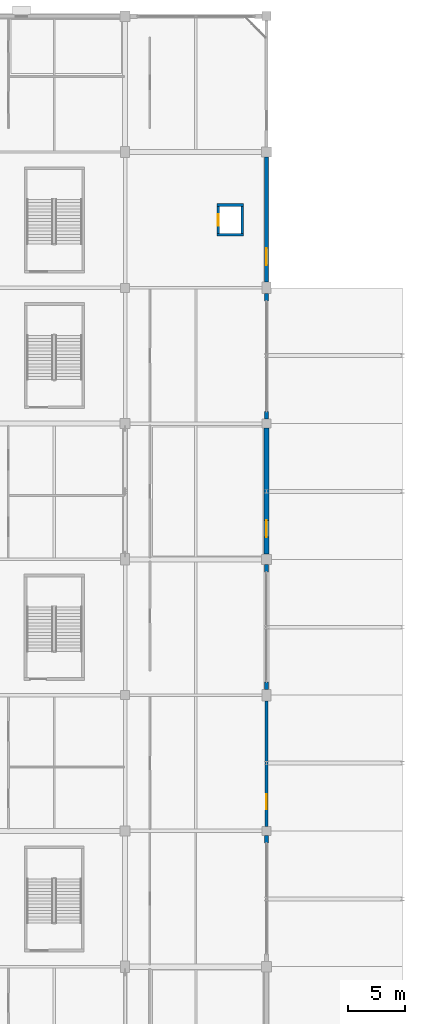
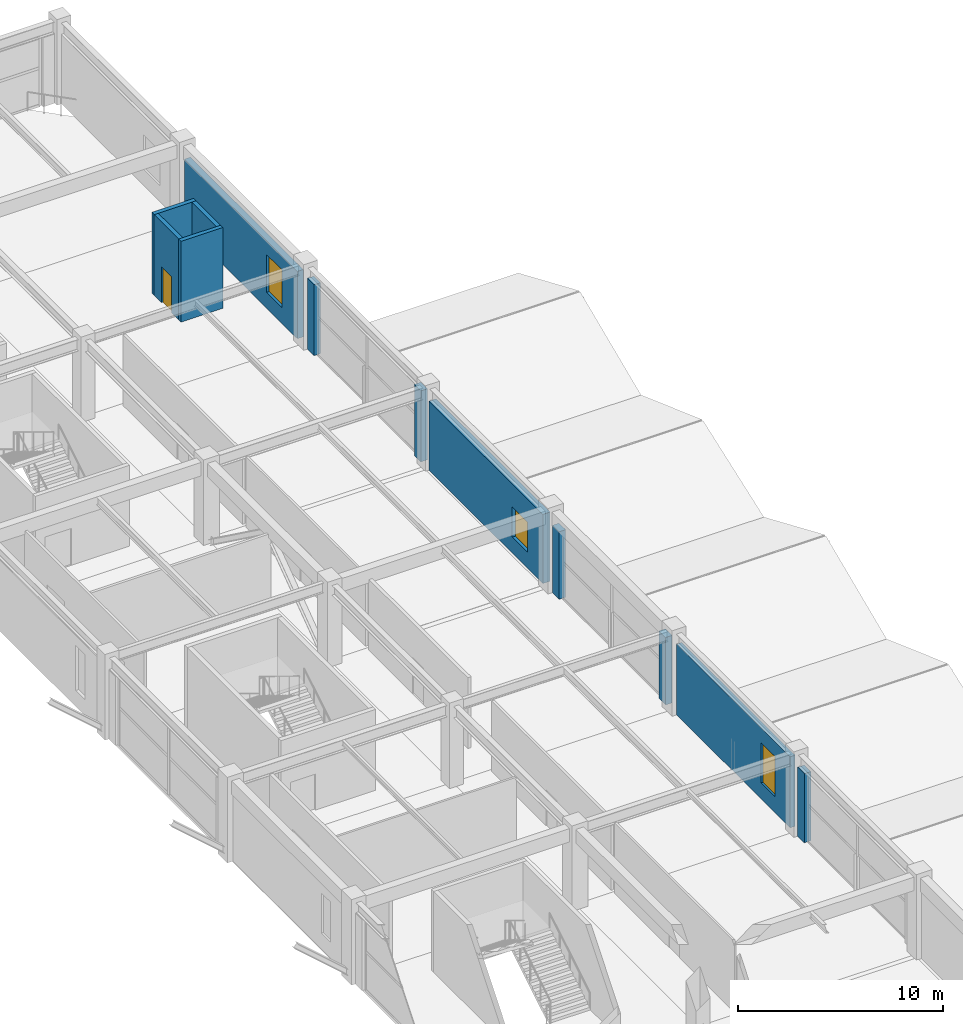
# One storey, part 78 of 116: 12 walls, 3 windows, 1 door, 4 openings.
"""IFC4 building model written with IfcOpenShell, lengths in metres."""

from ifc_helpers import new_model, si_unit, direction, frame, frame_2d, origin, place, context, subcontext, project, spatial, rectangle, extrude, material, layer, layer_set, type_object, element, fill, save


model = new_model("IFC4")

# Units and contexts
model_context = context("Model", 3, precision=1e-05, world=origin(), true_north=direction((0.0, 1.0)))
body_context = subcontext(model_context, "Body", "Model", "MODEL_VIEW")
ifc_project = project(units=[si_unit("LENGTHUNIT", "METRE"), si_unit("AREAUNIT", "SQUARE_METRE"), si_unit("VOLUMEUNIT", "CUBIC_METRE"), si_unit("PLANEANGLEUNIT", "RADIAN"), si_unit("MASSUNIT", "GRAM", prefix="KILO")], contexts=[model_context])

# Site, building, storey
site_placement = place(None, origin())
site = spatial("IfcSite", under=ifc_project, at=site_placement, CompositionType="ELEMENT")
building_placement = place(site_placement, origin())
building = spatial("IfcBuilding", under=site, at=building_placement, Name="Kazenohara Klinker Stadium", CompositionType="ELEMENT")
storey_placement = place(building_placement, frame((0.0, 0.0, 10.199951171875)))
storey = spatial("IfcBuildingStorey", under=building, at=storey_placement, Name="L02", CompositionType="ELEMENT", Elevation=10.199951171875)

# Walls
ifc_material_1 = material(Name="Concrete C40/50", Category="concrete")
ifc_layer_1 = layer(ifc_material_1, 0.22998046875)
ifc_layer_set_1 = layer_set([ifc_layer_1], Name="Concrete C40/50")
wall_type_1 = type_object("IfcWallType", Name="WAL-CORE-230", PredefinedType="SHEAR", material=ifc_layer_set_1)
for number, where, z_axis, x_axis, name in (
    (1, (195.6201171875, 136.68505859375, 0.0), (0.0, 0.0, 1.0), (1.0, 0.0, 0.0), "Elevator shaft wall LP05 L02 South"),
    (2, (195.6201171875, 139.31494140625, 0.0), (0.0, 0.0, 1.0), (1.0, 0.0, 0.0), "Elevator shaft wall LP05 L02 North"),
):
    element("IfcWall", number, at=place(storey_placement, frame(where, z_axis=z_axis, x_axis=x_axis)), inside=storey, type_object=wall_type_1, Name=name, PredefinedType="SHEAR", context=body_context, shape_type="SweptSolid", body=[
        extrude(rectangle(XDim=2.35986328125, YDim=0.22998046875, at=frame_2d((1.179931640625, 0.0))), origin(), (0.0, 0.0, 1.0), 4.820068359375),
    ])

# Wall, opening, door
wall_1_placement = place(storey_placement, frame((195.735107421875, 136.800048828125, 0.0), z_axis=(0.0, 0.0, 1.0), x_axis=(0.0, 1.0, 0.0)))
wall_1 = element("IfcWall", 3, at=wall_1_placement, inside=storey, type_object=wall_type_1, Name="Elevator shaft wall LP05 L02 West", PredefinedType="SHEAR", context=body_context, shape_type="SweptSolid", body=[
    extrude(rectangle(XDim=2.39990234375, YDim=0.22998046875, at=frame_2d((1.199951171875, 0.0))), origin(), (0.0, 0.0, 1.0), 4.820068359375),
])
opening_1_placement = place(wall_1_placement, frame((0.699951171875, 0.0, 0.0)))
opening_1 = element("IfcOpeningElement", 4, at=opening_1_placement, cuts=wall_1, Name="Opening LD02", PredefinedType="OPENING", context=body_context, shape_type="SweptSolid", body=[
    extrude(rectangle(XDim=1.0, YDim=2.14990234375, at=frame_2d((0.5, 1.074951171875))), frame((0.0, 0.125, 0.0), z_axis=(0.0, -1.0, 0.0), x_axis=(1.0, 0.0, 0.0)), (0.0, 0.0, 1.0), 0.25),
])
ifc_material_2 = material(Name="Stainless steel sliding landing door", Category="steel")
door_type = type_object("IfcDoorType", Name="DR-LD02-1000x2150", OperationType="NOTDEFINED", PredefinedType="DOOR", material=ifc_material_2)
door_placement = place(opening_1_placement, origin())
door = element("IfcDoor", 5, at=door_placement, inside=storey, type_object=door_type, Name="Elevator sliding landing door LP05-L02", OperationType="DOUBLE_DOOR_SLIDING", OverallHeight=2.14990234375, OverallWidth=1.0, PredefinedType="DOOR", context=body_context, shape_type="SweptSolid", body=[
    extrude(rectangle(XDim=1.0, YDim=2.14990234375, at=frame_2d((0.5, 1.074951171875))), frame((0.0, 0.02490234375, 0.0), z_axis=(0.0, -1.0, 0.0), x_axis=(1.0, 0.0, 0.0)), (0.0, 0.0, 1.0), 0.050048828125),
])
fill(opening_1, door)

# Wall
wall_2_placement = place(storey_placement, frame((197.864990234375, 136.800048828125, 0.0), z_axis=(0.0, 0.0, 1.0), x_axis=(0.0, 1.0, 0.0)))
element("IfcWall", 6, at=wall_2_placement, inside=storey, type_object=wall_type_1, Name="Elevator shaft wall LP05 L02 East", PredefinedType="SHEAR", context=body_context, shape_type="SweptSolid", body=[
    extrude(rectangle(XDim=2.39990234375, YDim=0.22998046875, at=frame_2d((1.199951171875, 0.0))), origin(), (0.0, 0.0, 1.0), 4.820068359375),
])

# Wall, opening, window
ifc_material_3 = material(Name="Clinker brick masonry", Category="masonry")
ifc_layer_2 = layer(ifc_material_3, 0.280029296875)
ifc_layer_set_2 = layer_set([ifc_layer_2], Name="Clinker brick masonry")
wall_type_2 = type_object("IfcWallType", Name="WAL-EXT-CB280", PredefinedType="SOLIDWALL", material=ifc_layer_set_2)
wall_3_placement = place(storey_placement, frame((200.0, 84.404052734375, 0.0), z_axis=(0.0, 0.0, 1.0), x_axis=(0.0, 1.0, 0.0)))
wall_3 = element("IfcWall", 7, at=wall_3_placement, inside=storey, type_object=wall_type_2, Name="Clinker brick cavity wall EW06 L02 Y16-7", PredefinedType="SOLIDWALL", context=body_context, shape_type="SweptSolid", body=[
    extrude(rectangle(XDim=11.092041015625, YDim=0.280029296875, at=frame_2d((5.5458984375, 0.0))), origin(), (0.0, 0.0, 1.0), 4.23193359375),
])
opening_2_placement = place(wall_3_placement, frame((1.5, 0.0, 0.949951171875)))
opening_2 = element("IfcOpeningElement", 8, at=opening_2_placement, cuts=wall_3, Name="Opening W08", PredefinedType="OPENING", context=body_context, shape_type="SweptSolid", body=[
    extrude(rectangle(XDim=1.35009765625, YDim=2.39990234375, at=frame_2d((0.675048828125, 1.199951171875))), frame((0.0, 0.14990234375, 0.0), z_axis=(0.0, -1.0, 0.0), x_axis=(1.0, 0.0, 0.0)), (0.0, 0.0, 1.0), 0.300048828125),
])
ifc_material_4 = material(Name="Dark bronze aluminium frame and triple glazing", Category="aluminium")
window_type_1 = type_object("IfcWindowType", Name="WIN-AS-08", PartitioningType="SINGLE_PANEL", PredefinedType="WINDOW", material=ifc_material_4)
window_1_placement = place(opening_2_placement, origin())
window_1 = element("IfcWindow", 9, at=window_1_placement, inside=storey, type_object=window_type_1, Name="Horizontal-mullion ladder window W08 L02 Y16-7", OverallHeight=2.39990234375, OverallWidth=1.35009765625, PartitioningType="SINGLE_PANEL", PredefinedType="WINDOW", context=body_context, shape_type="SweptSolid", body=[
    extrude(rectangle(XDim=1.35009765625, YDim=2.39990234375, at=frame_2d((0.675048828125, 1.199951171875))), frame((0.0, 0.030029296875, 0.0), z_axis=(0.0, -1.0, 0.0), x_axis=(1.0, 0.0, 0.0)), (0.0, 0.0, 1.0), 0.06005859375),
])
fill(opening_2, window_1)

ifc_layer_3 = layer(ifc_material_3, 0.340087890625)
ifc_layer_set_3 = layer_set([ifc_layer_3], Name="Clinker brick masonry")
wall_type_3 = type_object("IfcWallType", Name="WAL-EXT-CB340", PredefinedType="SOLIDWALL", material=ifc_layer_set_3)
wall_4_placement = place(storey_placement, frame((200.0, 132.50390625, 0.0), z_axis=(0.0, 0.0, 1.0), x_axis=(0.0, 1.0, 0.0)))
wall_4 = element("IfcWall", 10, at=wall_4_placement, inside=storey, type_object=wall_type_3, Name="Clinker brick cavity wall EW04 L02 Y16-11", PredefinedType="SOLIDWALL", context=body_context, shape_type="SweptSolid", body=[
    extrude(rectangle(XDim=11.0419921875, YDim=0.340087890625, at=frame_2d((5.52099609375, 0.0))), origin(), (0.0, 0.0, 1.0), 4.02001953125),
])
opening_3_placement = place(wall_4_placement, frame((1.5, 0.0, 0.949951171875)))
opening_3 = element("IfcOpeningElement", 11, at=opening_3_placement, cuts=wall_4, Name="Opening W10", PredefinedType="OPENING", context=body_context, shape_type="SweptSolid", body=[
    extrude(rectangle(XDim=1.5, YDim=2.25, at=frame_2d((0.75, 1.125))), frame((0.0, 0.18017578125, 0.0), z_axis=(0.0, -1.0, 0.0), x_axis=(1.0, 0.0, 0.0)), (0.0, 0.0, 1.0), 0.360107421875),
])
window_type_2 = type_object("IfcWindowType", Name="WIN-AS-10", PartitioningType="SINGLE_PANEL", PredefinedType="WINDOW", material=ifc_material_4)
window_2_placement = place(opening_3_placement, origin())
window_2 = element("IfcWindow", 12, at=window_2_placement, inside=storey, type_object=window_type_2, Name="Horizontal-mullion ladder window W10 L02 Y16-11", OverallHeight=2.25, OverallWidth=1.5, PartitioningType="SINGLE_PANEL", PredefinedType="WINDOW", context=body_context, shape_type="SweptSolid", body=[
    extrude(rectangle(XDim=1.5, YDim=2.25, at=frame_2d((0.75, 1.125))), frame((0.0, 0.030029296875, 0.0), z_axis=(0.0, -1.0, 0.0), x_axis=(1.0, 0.0, 0.0)), (0.0, 0.0, 1.0), 0.06005859375),
])
fill(opening_3, window_2)

# Walls
ifc_layer_4 = layer(ifc_material_3, 0.3701171875)
ifc_layer_set_4 = layer_set([ifc_layer_4], Name="Clinker brick masonry")
wall_type_4 = type_object("IfcWallType", Name="WAL-EXT-CB370", PredefinedType="SOLIDWALL", material=ifc_layer_set_4)
wall_5_placement = place(storey_placement, frame((200.0, 82.946044921875, 0.0), z_axis=(0.0, 0.0, 1.0), x_axis=(0.0, 1.0, 0.0)))
element("IfcWall", 13, at=wall_5_placement, inside=storey, type_object=wall_type_4, Name="Clinker brick curtain-wall jamb pier L02 Y16-6 B", PredefinedType="SOLIDWALL", context=body_context, shape_type="SweptSolid", body=[
    extrude(rectangle(XDim=0.64990234375, YDim=0.3701171875, at=frame_2d((0.324951171875, 0.0))), origin(), (0.0, 0.0, 1.0), 4.1201171875),
])
wall_6_placement = place(storey_placement, frame((200.0, 96.50390625, 0.0), z_axis=(0.0, 0.0, 1.0), x_axis=(0.0, 1.0, 0.0)))
element("IfcWall", 14, at=wall_6_placement, inside=storey, type_object=wall_type_4, Name="Clinker brick curtain-wall jamb pier L02 Y16-8 A", PredefinedType="SOLIDWALL", context=body_context, shape_type="SweptSolid", body=[
    extrude(rectangle(XDim=0.650146484375, YDim=0.3701171875, at=frame_2d((0.3251953125, 0.0))), origin(), (0.0, 0.0, 1.0), 4.02001953125),
])
wall_7_placement = place(storey_placement, frame((200.0, 106.89599609375, 0.0), z_axis=(0.0, 0.0, 1.0), x_axis=(0.0, 1.0, 0.0)))
element("IfcWall", 15, at=wall_7_placement, inside=storey, type_object=wall_type_4, Name="Clinker brick curtain-wall jamb pier L02 Y16-8 B", PredefinedType="SOLIDWALL", context=body_context, shape_type="SweptSolid", body=[
    extrude(rectangle(XDim=0.64990234375, YDim=0.3701171875, at=frame_2d((0.324951171875, 0.0))), origin(), (0.0, 0.0, 1.0), 4.02001953125),
])
wall_8_placement = place(storey_placement, frame((200.0, 120.404052734375, 0.0), z_axis=(0.0, 0.0, 1.0), x_axis=(0.0, 1.0, 0.0)))
element("IfcWall", 16, at=wall_8_placement, inside=storey, type_object=wall_type_4, Name="Clinker brick curtain-wall jamb pier L02 Y16-10 A", PredefinedType="SOLIDWALL", context=body_context, shape_type="SweptSolid", body=[
    extrude(rectangle(XDim=0.64990234375, YDim=0.3701171875, at=frame_2d((0.324951171875, 0.0))), origin(), (0.0, 0.0, 1.0), 4.23193359375),
])
wall_9_placement = place(storey_placement, frame((200.0, 130.845947265625, 0.0), z_axis=(0.0, 0.0, 1.0), x_axis=(0.0, 1.0, 0.0)))
element("IfcWall", 17, at=wall_9_placement, inside=storey, type_object=wall_type_4, Name="Clinker brick curtain-wall jamb pier L02 Y16-10 B", PredefinedType="SOLIDWALL", context=body_context, shape_type="SweptSolid", body=[
    extrude(rectangle(XDim=0.650146484375, YDim=0.3701171875, at=frame_2d((0.3251953125, 0.0))), origin(), (0.0, 0.0, 1.0), 4.23193359375),
])

# Wall, opening, window
ifc_layer_5 = layer(ifc_material_3, 0.409912109375)
ifc_layer_set_5 = layer_set([ifc_layer_5], Name="Clinker brick masonry")
wall_type_5 = type_object("IfcWallType", Name="WAL-EXT-CB410", PredefinedType="SOLIDWALL", material=ifc_layer_set_5)
wall_10_placement = place(storey_placement, frame((200.0, 108.4541015625, 0.0), z_axis=(0.0, 0.0, 1.0), x_axis=(0.0, 1.0, 0.0)))
wall_10 = element("IfcWall", 18, at=wall_10_placement, inside=storey, type_object=wall_type_5, Name="Clinker brick cavity wall EW02 L02 Y16-9", PredefinedType="SOLIDWALL", context=body_context, shape_type="SweptSolid", body=[
    extrude(rectangle(XDim=11.141845703125, YDim=0.409912109375, at=frame_2d((5.57080078125, 0.0))), origin(), (0.0, 0.0, 1.0), 4.1201171875),
])
opening_4_placement = place(wall_10_placement, frame((1.5, 0.0, 0.949951171875)))
opening_4 = element("IfcOpeningElement", 19, at=opening_4_placement, cuts=wall_10, Name="Opening W09", PredefinedType="OPENING", context=body_context, shape_type="SweptSolid", body=[
    extrude(rectangle(XDim=1.5, YDim=1.800048828125, at=frame_2d((0.75, 0.89990234375))), frame((0.0, 0.21484375, 0.0), z_axis=(0.0, -1.0, 0.0), x_axis=(1.0, 0.0, 0.0)), (0.0, 0.0, 1.0), 0.429931640625),
])
window_type_3 = type_object("IfcWindowType", Name="WIN-AS-09", PartitioningType="SINGLE_PANEL", PredefinedType="WINDOW", material=ifc_material_4)
window_3_placement = place(opening_4_placement, origin())
window_3 = element("IfcWindow", 20, at=window_3_placement, inside=storey, type_object=window_type_3, Name="Horizontal-mullion ladder window W09 L02 Y16-9", OverallHeight=1.800048828125, OverallWidth=1.5, PartitioningType="SINGLE_PANEL", PredefinedType="WINDOW", context=body_context, shape_type="SweptSolid", body=[
    extrude(rectangle(XDim=1.5, YDim=1.800048828125, at=frame_2d((0.75, 0.89990234375))), frame((0.0, 0.030029296875, 0.0), z_axis=(0.0, -1.0, 0.0), x_axis=(1.0, 0.0, 0.0)), (0.0, 0.0, 1.0), 0.06005859375),
])
fill(opening_4, window_3)

save(model, "model.ifc")
